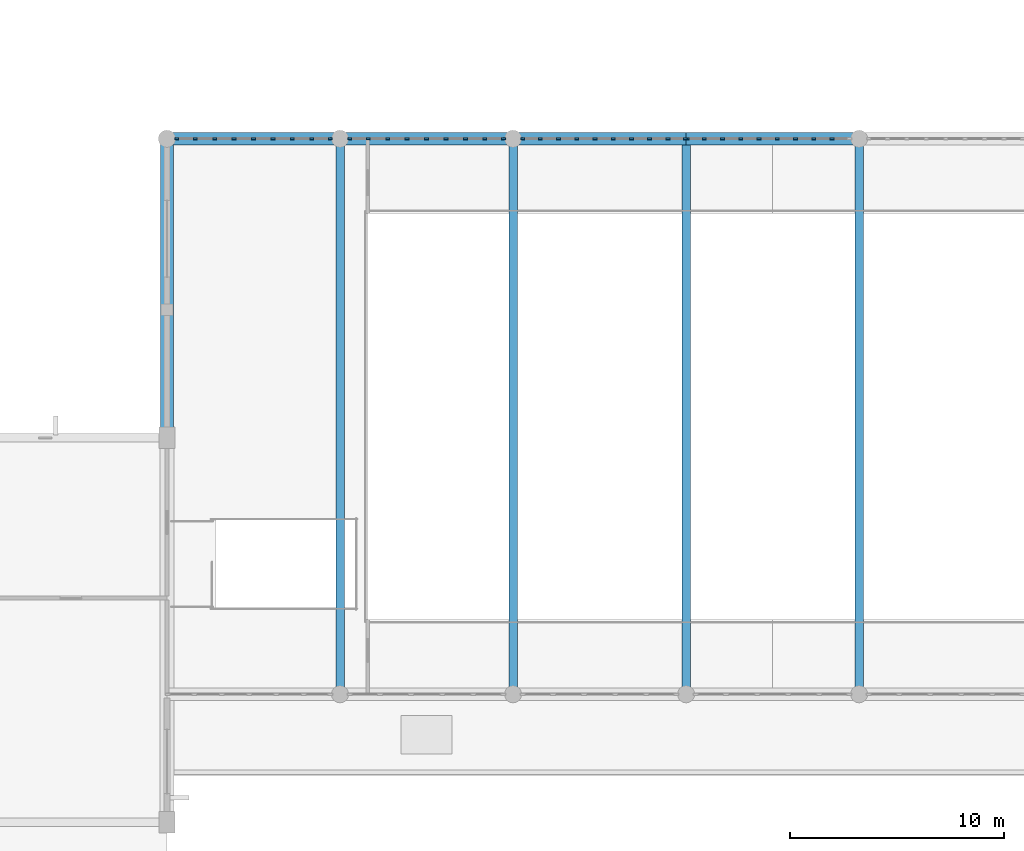
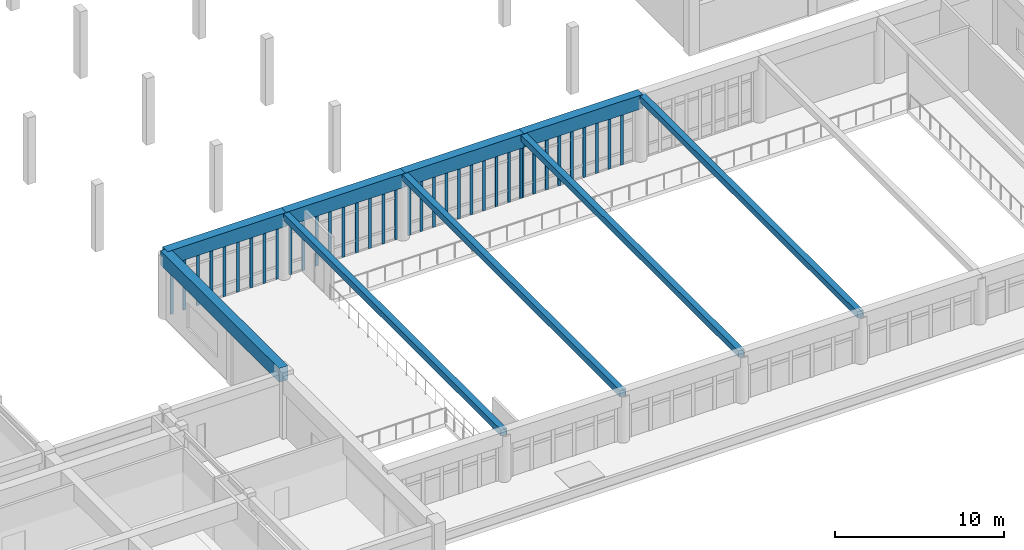
# One storey, part 9 of 61: 37 members, 9 beams, 4 elements without a shape of their own.
"""IFC4 building model written with IfcOpenShell, lengths in metres."""

from ifc_helpers import new_model, si_unit, direction, frame, origin, origin_2d, place, context, subcontext, project, spatial, rectangle, extrude, material, material_profile, profile_set, type_object, element, aggregate, save


model = new_model("IFC4")

# Units and contexts
model_context = context("Model", 3, precision=1e-05, world=origin(), true_north=direction((0.0, 1.0)))
body_context = subcontext(model_context, "Body", "Model", "MODEL_VIEW")
ifc_project = project(units=[si_unit("LENGTHUNIT", "METRE"), si_unit("AREAUNIT", "SQUARE_METRE"), si_unit("VOLUMEUNIT", "CUBIC_METRE"), si_unit("PLANEANGLEUNIT", "RADIAN"), si_unit("MASSUNIT", "GRAM", prefix="KILO")], contexts=[model_context])

# Site, building, storey
site_placement = place(None, origin())
site = spatial("IfcSite", under=ifc_project, at=site_placement, CompositionType="ELEMENT")
building_placement = place(site_placement, origin())
building = spatial("IfcBuilding", under=site, at=building_placement, Name="Tarnveldt Square Police Headquarters", CompositionType="ELEMENT")
storey_placement = place(building_placement, frame((0.0, 0.0, 5.39990234375)))
storey = spatial("IfcBuildingStorey", under=building, at=storey_placement, Name="L01", CompositionType="ELEMENT", Elevation=5.39990234375)

# Beams
ifc_material_1 = material(Name="Concrete 50 MPa", Category="concrete")
ifc_material_profile_1 = material_profile(ifc_material_1, rectangle(XDim=0.60009765625, YDim=1.0, at=origin_2d()), Name="RC-B600x1000")
ifc_profile_set_1 = profile_set([ifc_material_profile_1], Name="Concrete 50 MPa")
beam_type_1 = type_object("IfcBeamType", Name="BM-RC600x1000", PredefinedType="BEAM", material=ifc_profile_set_1)
beam_1_placement = place(storey_placement, frame((64.800048828125, 48.0, 4.300048828125), z_axis=(1.0, 0.0, 0.0), x_axis=(0.0, 1.0, 0.0)))
element("IfcBeam", 1, at=beam_1_placement, inside=storey, type_object=beam_type_1, Name="Public Entrance Hall Springing Edge Ring Beam N1", PredefinedType="BEAM", context=body_context, shape_type="SweptSolid", body=[
    extrude(rectangle(XDim=0.60009765625, YDim=1.0, at=origin_2d()), origin(), (0.0, 0.0, 1.0), 8.099853515625),
])
for number, where, z_axis, x_axis, name in (
    (2, (72.89990234375, 48.0, 4.300048828125), (1.0, 0.0, 0.0), (0.0, 1.0, 0.0), "Public Entrance Hall Springing Edge Ring Beam N2"),
    (3, (81.0, 48.0, 4.300048828125), (1.0, 0.0, 0.0), (0.0, 1.0, 0.0), "Public Entrance Hall Springing Edge Ring Beam N3"),
):
    element("IfcBeam", number, at=place(storey_placement, frame(where, z_axis=z_axis, x_axis=x_axis)), inside=storey, type_object=beam_type_1, Name=name, PredefinedType="BEAM", context=body_context, shape_type="SweptSolid", body=[
        extrude(rectangle(XDim=0.60009765625, YDim=1.0, at=origin_2d()), origin(), (0.0, 0.0, 1.0), 8.10009765625),
    ])
beam_2_placement = place(storey_placement, frame((89.10009765625, 48.0, 4.300048828125), z_axis=(1.0, 0.0, 0.0), x_axis=(0.0, 1.0, 0.0)))
element("IfcBeam", 4, at=beam_2_placement, inside=storey, type_object=beam_type_1, Name="Public Entrance Hall Springing Edge Ring Beam N4", PredefinedType="BEAM", context=body_context, shape_type="SweptSolid", body=[
    extrude(rectangle(XDim=0.60009765625, YDim=1.0, at=origin_2d()), origin(), (0.0, 0.0, 1.0), 8.099853515625),
])
beam_3_placement = place(storey_placement, frame((64.800048828125, 34.0, 4.300048828125), z_axis=(0.0, 1.0, 0.0), x_axis=(-1.0, 0.0, 0.0)))
element("IfcBeam", 5, at=beam_3_placement, inside=storey, type_object=beam_type_1, Name="Public Entrance Hall Transverse End Ring Beam W", PredefinedType="BEAM", context=body_context, shape_type="SweptSolid", body=[
    extrude(rectangle(XDim=0.60009765625, YDim=1.0, at=origin_2d()), origin(), (0.0, 0.0, 1.0), 14.0),
])
ifc_material_2 = material(Name="Concrete 40 MPa", Category="concrete")
ifc_material_profile_2 = material_profile(ifc_material_2, rectangle(XDim=0.39990234375, YDim=0.449951171875, at=origin_2d()), Name="RC-TIE400x450")
ifc_profile_set_2 = profile_set([ifc_material_profile_2], Name="Concrete 40 MPa")
beam_type_2 = type_object("IfcBeamType", Name="BM-TIE400x450", PredefinedType="USERDEFINED", material=ifc_profile_set_2)
for number, where, z_axis, x_axis, name in (
    (6, (72.89990234375, 22.0, 4.550048828125), (0.0, 1.0, 0.0), (-1.0, 0.0, 0.0), "Public Entrance Hall Vault Springing Tie Beam 2"),
    (7, (81.0, 22.0, 4.550048828125), (0.0, 1.0, 0.0), (-1.0, 0.0, 0.0), "Public Entrance Hall Vault Springing Tie Beam 3"),
    (8, (89.10009765625, 22.0, 4.550048828125), (0.0, 1.0, 0.0), (-1.0, 0.0, 0.0), "Public Entrance Hall Vault Springing Tie Beam 4"),
    (9, (97.199951171875, 22.0, 4.550048828125), (0.0, 1.0, 0.0), (-1.0, 0.0, 0.0), "Public Entrance Hall Vault Springing Tie Beam 5"),
):
    element("IfcBeam", number, at=place(storey_placement, frame(where, z_axis=z_axis, x_axis=x_axis)), inside=storey, type_object=beam_type_2, Name=name, ObjectType="TIE BEAM", PredefinedType="USERDEFINED", context=body_context, shape_type="SweptSolid", body=[
        extrude(rectangle(XDim=0.39990234375, YDim=0.449951171875, at=origin_2d()), origin(), (0.0, 0.0, 1.0), 26.0),
    ])

# Curtain wall, members
ifc_material_3 = material(Name="Triple-glazed low-e laminated vision glass", Category="glass")
curtain_wall_type_1 = type_object("IfcCurtainWallType", Name="CW-CT-727x379", PredefinedType="USERDEFINED", material=ifc_material_3)
curtain_wall_1_placement = place(storey_placement, origin())
curtain_wall_1 = element("IfcCurtainWall", 10, at=curtain_wall_1_placement, inside=storey, type_object=curtain_wall_type_1, Name="L01 Curtain Wall CW-L01-018", ObjectType="GLAZED CURTAIN WALL", PredefinedType="USERDEFINED")
ifc_material_4 = material(Name="Thermally broken anodised aluminium 6063-T6", Category="aluminium")
ifc_material_profile_3 = material_profile(ifc_material_4, rectangle(XDim=0.074951171875, YDim=0.199951171875, at=origin_2d()), Name="CW-M75x200")
ifc_profile_set_3 = profile_set([ifc_material_profile_3], Name="Thermally broken anodised aluminium 6063-T6")
member_type = type_object("IfcMemberType", Name="CWM-75x200", PredefinedType="MULLION", material=ifc_profile_set_3)
member_1_placement = place(storey_placement, frame((65.25244140625, 48.0, 0.0), z_axis=(0.0, 0.0, 1.0), x_axis=(0.0, 1.0, 0.0)))
member_1 = element("IfcMember", 11, at=member_1_placement, type_object=member_type, Name="CW-CT09 mullion 1", PredefinedType="MULLION", context=body_context, shape_type="SweptSolid", body=[
    extrude(rectangle(XDim=0.074951171875, YDim=0.199951171875, at=origin_2d()), origin(), (0.0, 0.0, 1.0), 3.7919921875),
])
member_2_placement = place(storey_placement, frame((66.123779296875, 48.0, 0.0), z_axis=(0.0, 0.0, 1.0), x_axis=(0.0, 1.0, 0.0)))
member_2 = element("IfcMember", 12, at=member_2_placement, type_object=member_type, Name="CW-CT09 mullion 2", PredefinedType="MULLION", context=body_context, shape_type="SweptSolid", body=[
    extrude(rectangle(XDim=0.074951171875, YDim=0.199951171875, at=origin_2d()), origin(), (0.0, 0.0, 1.0), 3.7919921875),
])
member_3_placement = place(storey_placement, frame((67.032470703125, 48.0, 0.0), z_axis=(0.0, 0.0, 1.0), x_axis=(0.0, 1.0, 0.0)))
member_3 = element("IfcMember", 13, at=member_3_placement, type_object=member_type, Name="CW-CT09 mullion 3", PredefinedType="MULLION", context=body_context, shape_type="SweptSolid", body=[
    extrude(rectangle(XDim=0.074951171875, YDim=0.199951171875, at=origin_2d()), origin(), (0.0, 0.0, 1.0), 3.7919921875),
])
member_4_placement = place(storey_placement, frame((67.941162109375, 48.0, 0.0), z_axis=(0.0, 0.0, 1.0), x_axis=(0.0, 1.0, 0.0)))
member_4 = element("IfcMember", 14, at=member_4_placement, type_object=member_type, Name="CW-CT09 mullion 4", PredefinedType="MULLION", context=body_context, shape_type="SweptSolid", body=[
    extrude(rectangle(XDim=0.074951171875, YDim=0.199951171875, at=origin_2d()), origin(), (0.0, 0.0, 1.0), 3.7919921875),
])
member_5_placement = place(storey_placement, frame((68.85009765625, 48.0, 0.0), z_axis=(0.0, 0.0, 1.0), x_axis=(0.0, 1.0, 0.0)))
member_5 = element("IfcMember", 15, at=member_5_placement, type_object=member_type, Name="CW-CT09 mullion 5", PredefinedType="MULLION", context=body_context, shape_type="SweptSolid", body=[
    extrude(rectangle(XDim=0.074951171875, YDim=0.199951171875, at=origin_2d()), origin(), (0.0, 0.0, 1.0), 3.7919921875),
])
member_6_placement = place(storey_placement, frame((69.7587890625, 48.0, 0.0), z_axis=(0.0, 0.0, 1.0), x_axis=(0.0, 1.0, 0.0)))
member_6 = element("IfcMember", 16, at=member_6_placement, type_object=member_type, Name="CW-CT09 mullion 6", PredefinedType="MULLION", context=body_context, shape_type="SweptSolid", body=[
    extrude(rectangle(XDim=0.074951171875, YDim=0.199951171875, at=origin_2d()), origin(), (0.0, 0.0, 1.0), 3.7919921875),
])
member_7_placement = place(storey_placement, frame((70.66748046875, 48.0, 0.0), z_axis=(0.0, 0.0, 1.0), x_axis=(0.0, 1.0, 0.0)))
member_7 = element("IfcMember", 17, at=member_7_placement, type_object=member_type, Name="CW-CT09 mullion 7", PredefinedType="MULLION", context=body_context, shape_type="SweptSolid", body=[
    extrude(rectangle(XDim=0.074951171875, YDim=0.199951171875, at=origin_2d()), origin(), (0.0, 0.0, 1.0), 3.7919921875),
])
member_8_placement = place(storey_placement, frame((71.576171875, 48.0, 0.0), z_axis=(0.0, 0.0, 1.0), x_axis=(0.0, 1.0, 0.0)))
member_8 = element("IfcMember", 18, at=member_8_placement, type_object=member_type, Name="CW-CT09 mullion 8", PredefinedType="MULLION", context=body_context, shape_type="SweptSolid", body=[
    extrude(rectangle(XDim=0.074951171875, YDim=0.199951171875, at=origin_2d()), origin(), (0.0, 0.0, 1.0), 3.7919921875),
])
member_9_placement = place(storey_placement, frame((72.447509765625, 48.0, 0.0), z_axis=(0.0, 0.0, 1.0), x_axis=(0.0, 1.0, 0.0)))
member_9 = element("IfcMember", 19, at=member_9_placement, type_object=member_type, Name="CW-CT09 mullion 9", PredefinedType="MULLION", context=body_context, shape_type="SweptSolid", body=[
    extrude(rectangle(XDim=0.074951171875, YDim=0.199951171875, at=origin_2d()), origin(), (0.0, 0.0, 1.0), 3.7919921875),
])
aggregate(curtain_wall_1, [member_1, member_2, member_3, member_4, member_5, member_6, member_7, member_8, member_9])

curtain_wall_2_placement = place(storey_placement, origin())
curtain_wall_2 = element("IfcCurtainWall", 20, at=curtain_wall_2_placement, inside=storey, type_object=curtain_wall_type_1, Name="L01 Curtain Wall CW-L01-019", ObjectType="GLAZED CURTAIN WALL", PredefinedType="USERDEFINED")
member_10_placement = place(storey_placement, frame((73.3525390625, 48.0, 0.0), z_axis=(0.0, 0.0, 1.0), x_axis=(0.0, 1.0, 0.0)))
member_10 = element("IfcMember", 21, at=member_10_placement, type_object=member_type, Name="CW-CT09 mullion 1", PredefinedType="MULLION", context=body_context, shape_type="SweptSolid", body=[
    extrude(rectangle(XDim=0.074951171875, YDim=0.199951171875, at=origin_2d()), origin(), (0.0, 0.0, 1.0), 3.7919921875),
])
member_11_placement = place(storey_placement, frame((74.2236328125, 48.0, 0.0), z_axis=(0.0, 0.0, 1.0), x_axis=(0.0, 1.0, 0.0)))
member_11 = element("IfcMember", 22, at=member_11_placement, type_object=member_type, Name="CW-CT09 mullion 2", PredefinedType="MULLION", context=body_context, shape_type="SweptSolid", body=[
    extrude(rectangle(XDim=0.074951171875, YDim=0.199951171875, at=origin_2d()), origin(), (0.0, 0.0, 1.0), 3.7919921875),
])
member_12_placement = place(storey_placement, frame((75.132568359375, 48.0, 0.0), z_axis=(0.0, 0.0, 1.0), x_axis=(0.0, 1.0, 0.0)))
member_12 = element("IfcMember", 23, at=member_12_placement, type_object=member_type, Name="CW-CT09 mullion 3", PredefinedType="MULLION", context=body_context, shape_type="SweptSolid", body=[
    extrude(rectangle(XDim=0.074951171875, YDim=0.199951171875, at=origin_2d()), origin(), (0.0, 0.0, 1.0), 3.7919921875),
])
member_13_placement = place(storey_placement, frame((76.041259765625, 48.0, 0.0), z_axis=(0.0, 0.0, 1.0), x_axis=(0.0, 1.0, 0.0)))
member_13 = element("IfcMember", 24, at=member_13_placement, type_object=member_type, Name="CW-CT09 mullion 4", PredefinedType="MULLION", context=body_context, shape_type="SweptSolid", body=[
    extrude(rectangle(XDim=0.074951171875, YDim=0.199951171875, at=origin_2d()), origin(), (0.0, 0.0, 1.0), 3.7919921875),
])
member_14_placement = place(storey_placement, frame((76.949951171875, 48.0, 0.0), z_axis=(0.0, 0.0, 1.0), x_axis=(0.0, 1.0, 0.0)))
member_14 = element("IfcMember", 25, at=member_14_placement, type_object=member_type, Name="CW-CT09 mullion 5", PredefinedType="MULLION", context=body_context, shape_type="SweptSolid", body=[
    extrude(rectangle(XDim=0.074951171875, YDim=0.199951171875, at=origin_2d()), origin(), (0.0, 0.0, 1.0), 3.7919921875),
])
member_15_placement = place(storey_placement, frame((77.858642578125, 48.0, 0.0), z_axis=(0.0, 0.0, 1.0), x_axis=(0.0, 1.0, 0.0)))
member_15 = element("IfcMember", 26, at=member_15_placement, type_object=member_type, Name="CW-CT09 mullion 6", PredefinedType="MULLION", context=body_context, shape_type="SweptSolid", body=[
    extrude(rectangle(XDim=0.074951171875, YDim=0.199951171875, at=origin_2d()), origin(), (0.0, 0.0, 1.0), 3.7919921875),
])
member_16_placement = place(storey_placement, frame((78.767578125, 48.0, 0.0), z_axis=(0.0, 0.0, 1.0), x_axis=(0.0, 1.0, 0.0)))
member_16 = element("IfcMember", 27, at=member_16_placement, type_object=member_type, Name="CW-CT09 mullion 7", PredefinedType="MULLION", context=body_context, shape_type="SweptSolid", body=[
    extrude(rectangle(XDim=0.074951171875, YDim=0.199951171875, at=origin_2d()), origin(), (0.0, 0.0, 1.0), 3.7919921875),
])
member_17_placement = place(storey_placement, frame((79.67626953125, 48.0, 0.0), z_axis=(0.0, 0.0, 1.0), x_axis=(0.0, 1.0, 0.0)))
member_17 = element("IfcMember", 28, at=member_17_placement, type_object=member_type, Name="CW-CT09 mullion 8", PredefinedType="MULLION", context=body_context, shape_type="SweptSolid", body=[
    extrude(rectangle(XDim=0.074951171875, YDim=0.199951171875, at=origin_2d()), origin(), (0.0, 0.0, 1.0), 3.7919921875),
])
member_18_placement = place(storey_placement, frame((80.547607421875, 48.0, 0.0), z_axis=(0.0, 0.0, 1.0), x_axis=(0.0, 1.0, 0.0)))
member_18 = element("IfcMember", 29, at=member_18_placement, type_object=member_type, Name="CW-CT09 mullion 9", PredefinedType="MULLION", context=body_context, shape_type="SweptSolid", body=[
    extrude(rectangle(XDim=0.074951171875, YDim=0.199951171875, at=origin_2d()), origin(), (0.0, 0.0, 1.0), 3.7919921875),
])
aggregate(curtain_wall_2, [member_10, member_11, member_12, member_13, member_14, member_15, member_16, member_17, member_18])

curtain_wall_type_2 = type_object("IfcCurtainWallType", Name="CW-CT-768x379", PredefinedType="USERDEFINED", material=ifc_material_3)
curtain_wall_3_placement = place(storey_placement, origin())
curtain_wall_3 = element("IfcCurtainWall", 30, at=curtain_wall_3_placement, inside=storey, type_object=curtain_wall_type_2, Name="L01 Curtain Wall CW-L01-020", ObjectType="GLAZED CURTAIN WALL", PredefinedType="USERDEFINED")
member_19_placement = place(storey_placement, frame((81.452392578125, 48.0, 0.0), z_axis=(0.0, 0.0, 1.0), x_axis=(0.0, 1.0, 0.0)))
member_19 = element("IfcMember", 31, at=member_19_placement, type_object=member_type, Name="CW-CT10 mullion 1", PredefinedType="MULLION", context=body_context, shape_type="SweptSolid", body=[
    extrude(rectangle(XDim=0.074951171875, YDim=0.199951171875, at=origin_2d()), origin(), (0.0, 0.0, 1.0), 3.7919921875),
])
member_20_placement = place(storey_placement, frame((82.268798828125, 48.0, 0.0), z_axis=(0.0, 0.0, 1.0), x_axis=(0.0, 1.0, 0.0)))
member_20 = element("IfcMember", 32, at=member_20_placement, type_object=member_type, Name="CW-CT10 mullion 2", PredefinedType="MULLION", context=body_context, shape_type="SweptSolid", body=[
    extrude(rectangle(XDim=0.074951171875, YDim=0.199951171875, at=origin_2d()), origin(), (0.0, 0.0, 1.0), 3.7919921875),
])
member_21_placement = place(storey_placement, frame((83.122802734375, 48.0, 0.0), z_axis=(0.0, 0.0, 1.0), x_axis=(0.0, 1.0, 0.0)))
member_21 = element("IfcMember", 33, at=member_21_placement, type_object=member_type, Name="CW-CT10 mullion 3", PredefinedType="MULLION", context=body_context, shape_type="SweptSolid", body=[
    extrude(rectangle(XDim=0.074951171875, YDim=0.199951171875, at=origin_2d()), origin(), (0.0, 0.0, 1.0), 3.7919921875),
])
member_22_placement = place(storey_placement, frame((83.9765625, 48.0, 0.0), z_axis=(0.0, 0.0, 1.0), x_axis=(0.0, 1.0, 0.0)))
member_22 = element("IfcMember", 34, at=member_22_placement, type_object=member_type, Name="CW-CT10 mullion 4", PredefinedType="MULLION", context=body_context, shape_type="SweptSolid", body=[
    extrude(rectangle(XDim=0.074951171875, YDim=0.199951171875, at=origin_2d()), origin(), (0.0, 0.0, 1.0), 3.7919921875),
])
member_23_placement = place(storey_placement, frame((84.83056640625, 48.0, 0.0), z_axis=(0.0, 0.0, 1.0), x_axis=(0.0, 1.0, 0.0)))
member_23 = element("IfcMember", 35, at=member_23_placement, type_object=member_type, Name="CW-CT10 mullion 5", PredefinedType="MULLION", context=body_context, shape_type="SweptSolid", body=[
    extrude(rectangle(XDim=0.074951171875, YDim=0.199951171875, at=origin_2d()), origin(), (0.0, 0.0, 1.0), 3.7919921875),
])
member_24_placement = place(storey_placement, frame((85.684326171875, 48.0, 0.0), z_axis=(0.0, 0.0, 1.0), x_axis=(0.0, 1.0, 0.0)))
member_24 = element("IfcMember", 36, at=member_24_placement, type_object=member_type, Name="CW-CT10 mullion 6", PredefinedType="MULLION", context=body_context, shape_type="SweptSolid", body=[
    extrude(rectangle(XDim=0.074951171875, YDim=0.199951171875, at=origin_2d()), origin(), (0.0, 0.0, 1.0), 3.7919921875),
])
member_25_placement = place(storey_placement, frame((86.538330078125, 48.0, 0.0), z_axis=(0.0, 0.0, 1.0), x_axis=(0.0, 1.0, 0.0)))
member_25 = element("IfcMember", 37, at=member_25_placement, type_object=member_type, Name="CW-CT10 mullion 7", PredefinedType="MULLION", context=body_context, shape_type="SweptSolid", body=[
    extrude(rectangle(XDim=0.074951171875, YDim=0.199951171875, at=origin_2d()), origin(), (0.0, 0.0, 1.0), 3.7919921875),
])
member_26_placement = place(storey_placement, frame((87.392333984375, 48.0, 0.0), z_axis=(0.0, 0.0, 1.0), x_axis=(0.0, 1.0, 0.0)))
member_26 = element("IfcMember", 38, at=member_26_placement, type_object=member_type, Name="CW-CT10 mullion 8", PredefinedType="MULLION", context=body_context, shape_type="SweptSolid", body=[
    extrude(rectangle(XDim=0.074951171875, YDim=0.199951171875, at=origin_2d()), origin(), (0.0, 0.0, 1.0), 3.7919921875),
])
member_27_placement = place(storey_placement, frame((88.24609375, 48.0, 0.0), z_axis=(0.0, 0.0, 1.0), x_axis=(0.0, 1.0, 0.0)))
member_27 = element("IfcMember", 39, at=member_27_placement, type_object=member_type, Name="CW-CT10 mullion 9", PredefinedType="MULLION", context=body_context, shape_type="SweptSolid", body=[
    extrude(rectangle(XDim=0.074951171875, YDim=0.199951171875, at=origin_2d()), origin(), (0.0, 0.0, 1.0), 3.7919921875),
])
member_28_placement = place(storey_placement, frame((89.0625, 48.0, 0.0), z_axis=(0.0, 0.0, 1.0), x_axis=(0.0, 1.0, 0.0)))
member_28 = element("IfcMember", 40, at=member_28_placement, type_object=member_type, Name="CW-CT10 mullion 10", PredefinedType="MULLION", context=body_context, shape_type="SweptSolid", body=[
    extrude(rectangle(XDim=0.074951171875, YDim=0.199951171875, at=origin_2d()), origin(), (0.0, 0.0, 1.0), 3.7919921875),
])
aggregate(curtain_wall_3, [member_19, member_20, member_21, member_22, member_23, member_24, member_25, member_26, member_27, member_28])

curtain_wall_type_3 = type_object("IfcCurtainWallType", Name="CW-CT-769x379", PredefinedType="USERDEFINED", material=ifc_material_3)
curtain_wall_4_placement = place(storey_placement, origin())
curtain_wall_4 = element("IfcCurtainWall", 41, at=curtain_wall_4_placement, inside=storey, type_object=curtain_wall_type_3, Name="L01 Curtain Wall CW-L01-021", ObjectType="GLAZED CURTAIN WALL", PredefinedType="USERDEFINED")
member_29_placement = place(storey_placement, frame((89.137451171875, 48.0, 0.0), z_axis=(0.0, 0.0, 1.0), x_axis=(0.0, 1.0, 0.0)))
member_29 = element("IfcMember", 42, at=member_29_placement, type_object=member_type, Name="CW-CT11 mullion 1", PredefinedType="MULLION", context=body_context, shape_type="SweptSolid", body=[
    extrude(rectangle(XDim=0.074951171875, YDim=0.199951171875, at=origin_2d()), origin(), (0.0, 0.0, 1.0), 3.7919921875),
])
member_30_placement = place(storey_placement, frame((89.953857421875, 48.0, 0.0), z_axis=(0.0, 0.0, 1.0), x_axis=(0.0, 1.0, 0.0)))
member_30 = element("IfcMember", 43, at=member_30_placement, type_object=member_type, Name="CW-CT11 mullion 2", PredefinedType="MULLION", context=body_context, shape_type="SweptSolid", body=[
    extrude(rectangle(XDim=0.074951171875, YDim=0.199951171875, at=origin_2d()), origin(), (0.0, 0.0, 1.0), 3.7919921875),
])
member_31_placement = place(storey_placement, frame((90.807861328125, 48.0, 0.0), z_axis=(0.0, 0.0, 1.0), x_axis=(0.0, 1.0, 0.0)))
member_31 = element("IfcMember", 44, at=member_31_placement, type_object=member_type, Name="CW-CT11 mullion 3", PredefinedType="MULLION", context=body_context, shape_type="SweptSolid", body=[
    extrude(rectangle(XDim=0.074951171875, YDim=0.199951171875, at=origin_2d()), origin(), (0.0, 0.0, 1.0), 3.7919921875),
])
member_32_placement = place(storey_placement, frame((91.66162109375, 48.0, 0.0), z_axis=(0.0, 0.0, 1.0), x_axis=(0.0, 1.0, 0.0)))
member_32 = element("IfcMember", 45, at=member_32_placement, type_object=member_type, Name="CW-CT11 mullion 4", PredefinedType="MULLION", context=body_context, shape_type="SweptSolid", body=[
    extrude(rectangle(XDim=0.074951171875, YDim=0.199951171875, at=origin_2d()), origin(), (0.0, 0.0, 1.0), 3.7919921875),
])
member_33_placement = place(storey_placement, frame((92.515625, 48.0, 0.0), z_axis=(0.0, 0.0, 1.0), x_axis=(0.0, 1.0, 0.0)))
member_33 = element("IfcMember", 46, at=member_33_placement, type_object=member_type, Name="CW-CT11 mullion 5", PredefinedType="MULLION", context=body_context, shape_type="SweptSolid", body=[
    extrude(rectangle(XDim=0.074951171875, YDim=0.199951171875, at=origin_2d()), origin(), (0.0, 0.0, 1.0), 3.7919921875),
])
member_34_placement = place(storey_placement, frame((93.369384765625, 48.0, 0.0), z_axis=(0.0, 0.0, 1.0), x_axis=(0.0, 1.0, 0.0)))
member_34 = element("IfcMember", 47, at=member_34_placement, type_object=member_type, Name="CW-CT11 mullion 6", PredefinedType="MULLION", context=body_context, shape_type="SweptSolid", body=[
    extrude(rectangle(XDim=0.074951171875, YDim=0.199951171875, at=origin_2d()), origin(), (0.0, 0.0, 1.0), 3.7919921875),
])
member_35_placement = place(storey_placement, frame((94.223388671875, 48.0, 0.0), z_axis=(0.0, 0.0, 1.0), x_axis=(0.0, 1.0, 0.0)))
member_35 = element("IfcMember", 48, at=member_35_placement, type_object=member_type, Name="CW-CT11 mullion 7", PredefinedType="MULLION", context=body_context, shape_type="SweptSolid", body=[
    extrude(rectangle(XDim=0.074951171875, YDim=0.199951171875, at=origin_2d()), origin(), (0.0, 0.0, 1.0), 3.7919921875),
])
member_36_placement = place(storey_placement, frame((95.0771484375, 48.0, 0.0), z_axis=(0.0, 0.0, 1.0), x_axis=(0.0, 1.0, 0.0)))
member_36 = element("IfcMember", 49, at=member_36_placement, type_object=member_type, Name="CW-CT11 mullion 8", PredefinedType="MULLION", context=body_context, shape_type="SweptSolid", body=[
    extrude(rectangle(XDim=0.074951171875, YDim=0.199951171875, at=origin_2d()), origin(), (0.0, 0.0, 1.0), 3.7919921875),
])
member_37_placement = place(storey_placement, frame((95.93115234375, 48.0, 0.0), z_axis=(0.0, 0.0, 1.0), x_axis=(0.0, 1.0, 0.0)))
member_37 = element("IfcMember", 50, at=member_37_placement, type_object=member_type, Name="CW-CT11 mullion 9", PredefinedType="MULLION", context=body_context, shape_type="SweptSolid", body=[
    extrude(rectangle(XDim=0.074951171875, YDim=0.199951171875, at=origin_2d()), origin(), (0.0, 0.0, 1.0), 3.7919921875),
])
aggregate(curtain_wall_4, [member_29, member_30, member_31, member_32, member_33, member_34, member_35, member_36, member_37])

save(model, "model.ifc")
